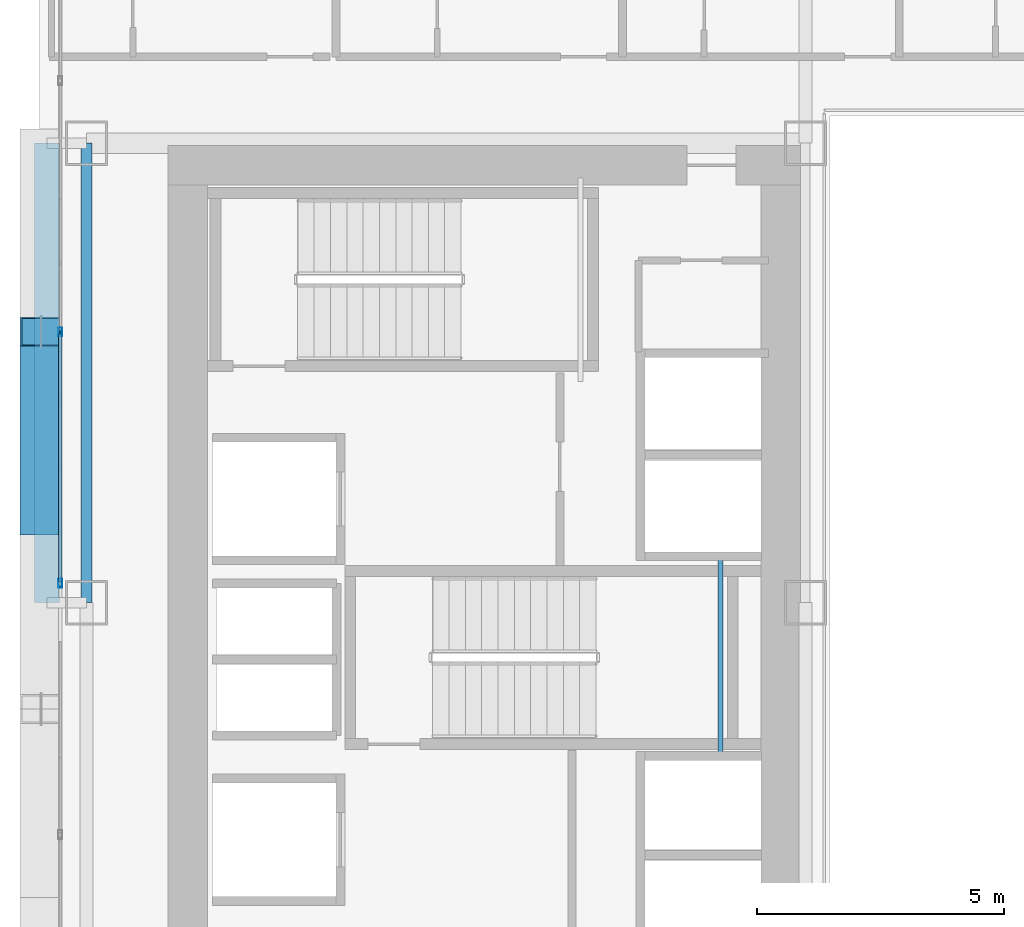
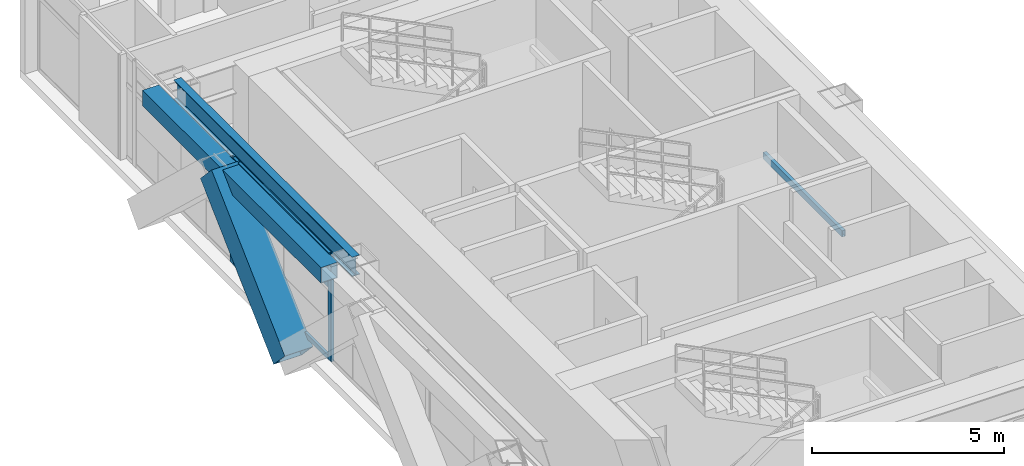
# One storey, part 8 of 35: 6 members, 3 beams, 1 element without a shape of its own.
"""IFC4 building model written with IfcOpenShell, lengths in metres."""

from ifc_helpers import new_model, si_unit, direction, frame, origin, origin_2d, place, context, subcontext, project, spatial, hollow_rectangle, i_section, extrude, source, transform, mapped, material, layer, layer_set, material_profile, profile_set, type_object, element, aggregate, save


model = new_model("IFC4")

# Units and contexts
model_context = context("Model", 3, precision=1e-05, world=origin(), true_north=direction((0.0, 1.0)))
body_context = subcontext(model_context, "Body", "Model", "MODEL_VIEW")
ifc_project = project(units=[si_unit("LENGTHUNIT", "METRE"), si_unit("AREAUNIT", "SQUARE_METRE"), si_unit("VOLUMEUNIT", "CUBIC_METRE"), si_unit("PLANEANGLEUNIT", "RADIAN"), si_unit("MASSUNIT", "GRAM", prefix="KILO")], contexts=[model_context])

# Site, building, storey
site_placement = place(None, origin())
site = spatial("IfcSite", under=ifc_project, at=site_placement, CompositionType="ELEMENT")
building_placement = place(site_placement, origin())
building = spatial("IfcBuilding", under=site, at=building_placement, Name="Ocotamira Hotel", CompositionType="ELEMENT")
storey_placement = place(building_placement, frame((0.0, 0.0, 49.199951171875)))
storey = spatial("IfcBuildingStorey", under=building, at=storey_placement, Name="L11", CompositionType="ELEMENT", Elevation=49.199951171875)

# Beams
ifc_material_1 = material(Name="Steel ASTM A500 Grade C", Category="steel")
ifc_material_profile_1 = material_profile(ifc_material_1, hollow_rectangle(XDim=0.10009765625, YDim=0.199951171875, WallThickness=0.008056640625, at=origin_2d()), Name="HSS200X100X8")
ifc_profile_set_1 = profile_set([ifc_material_profile_1], Name="Steel ASTM A500 Grade C")
beam_type_1 = type_object("IfcBeamType", Name="BM-STLDG-HSS200", PredefinedType="BEAM", material=ifc_profile_set_1)
shared_shape_1 = source(origin(), body_context, "Body", "SweptSolid", [
    extrude(hollow_rectangle(XDim=0.10009765625, YDim=0.199951171875, WallThickness=0.008056640625, at=origin_2d()), origin(), (0.0, 0.0, 1.0), 4.1201171875),
])
beam_1_placement = place(storey_placement, frame((21.780029296875, 24.97998046875, 1.5), z_axis=(0.0, 1.0, 0.0), x_axis=(-1.0, 0.0, 0.0)))
element("IfcBeam", 1, at=beam_1_placement, inside=storey, type_object=beam_type_1, Name="L11 Stair ST-3 Landing Bearer 1", PredefinedType="BEAM", context=body_context, shape_type="MappedRepresentation", body=[
    mapped(shared_shape_1, transform((0.0, 0.0, 0.0), scale=1.0)),
])
ifc_material_2 = material(Name="Steel ASTM A992 Grade 50", Category="steel")
ifc_material_profile_2 = material_profile(ifc_material_2, i_section(OverallWidth=0.22998046875, OverallDepth=0.616943359375, WebThickness=0.01318359375, FlangeThickness=0.022216796875, FilletRadius=0.012939453125, at=origin_2d()), Name="W24X94")
ifc_profile_set_2 = profile_set([ifc_material_profile_2], Name="Steel ASTM A992 Grade 50")
beam_type_2 = type_object("IfcBeamType", Name="BM-PRIM-W24X94", PredefinedType="BEAM", material=ifc_profile_set_2)
shared_shape_2 = source(origin(), body_context, "Body", "SweptSolid", [
    extrude(i_section(OverallWidth=0.22998046875, OverallDepth=0.616943359375, WebThickness=0.01318359375, FlangeThickness=0.022216796875, FilletRadius=0.012939453125, at=origin_2d()), origin(), (0.0, 0.0, 1.0), 9.300048828125),
])
beam_2_placement = place(storey_placement, frame((8.949951171875, 28.14990234375, 3.04150390625), z_axis=(0.0, 1.0, 0.0), x_axis=(-1.0, 0.0, 0.0)))
element("IfcBeam", 2, at=beam_2_placement, inside=storey, type_object=beam_type_2, Name="L11 Beam X8.95 Y28.15-37.45", PredefinedType="BEAM", context=body_context, shape_type="MappedRepresentation", body=[
    mapped(shared_shape_2, transform((0.0, 0.0, 0.0), scale=1.0)),
])
ifc_material_profile_3 = material_profile(ifc_material_1, hollow_rectangle(XDim=0.5, YDim=0.5, WallThickness=0.02001953125, at=origin_2d()), Name="HSS500X500X20")
ifc_profile_set_3 = profile_set([ifc_material_profile_3], Name="Steel ASTM A500 Grade C")
beam_type_3 = type_object("IfcBeamType", Name="BM-SPAN-HSS500", PredefinedType="USERDEFINED", material=ifc_profile_set_3)
shared_shape_3 = source(origin(), body_context, "Body", "SweptSolid", [
    extrude(hollow_rectangle(XDim=0.5, YDim=0.5, WallThickness=0.02001953125, at=origin_2d()), origin(), (0.0, 0.0, 1.0), 9.300048828125),
])
beam_3_placement = place(storey_placement, frame((8.14990234375, 28.14990234375, 3.10009765625), z_axis=(0.0, 1.0, 0.0), x_axis=(-1.0, 0.0, 0.0)))
element("IfcBeam", 3, at=beam_3_placement, inside=storey, type_object=beam_type_3, Name="L11 Edge Spandrel W Y28.15-37.45", ObjectType="SPANDREL", PredefinedType="USERDEFINED", context=body_context, shape_type="MappedRepresentation", body=[
    mapped(shared_shape_3, transform((0.0, 0.0, 0.0), scale=1.0)),
])

# Member
ifc_material_3 = material(Name="Pale-metal coated steel ASTM A913 Grade 65", Category="steel")
ifc_material_profile_4 = material_profile(ifc_material_3, hollow_rectangle(XDim=0.85009765625, YDim=0.85009765625, WallThickness=0.035888671875, at=origin_2d()), Name="BOX850X850X36")
ifc_profile_set_4 = profile_set([ifc_material_profile_4], Name="Pale-metal coated steel ASTM A913 Grade 65")
member_type_1 = type_object("IfcMemberType", Name="MEM-EXO-BOX850", PredefinedType="BRACE", material=ifc_profile_set_4)
shared_shape_4 = source(origin(), body_context, "Body", "SweptSolid", [
    extrude(hollow_rectangle(XDim=0.85009765625, YDim=0.85009765625, WallThickness=0.035888671875, at=origin_2d()), origin(), (0.0, 0.0, 1.0), 5.24658203125),
])
member_1_placement = place(storey_placement, frame((8.030029296875, 29.816650390625, -0.5), z_axis=(0.0, 0.727442733726, 0.686168397078), x_axis=(-1.0, 0.0, 0.0)))
element("IfcMember", 4, at=member_1_placement, inside=storey, type_object=member_type_1, Name="L11 Exoskeleton Diagrid W2.1", PredefinedType="BRACE", context=body_context, shape_type="MappedRepresentation", body=[
    mapped(shared_shape_4, transform((0.0, 0.0, 0.0), scale=1.0)),
])

# Curtain wall, members
ifc_material_4 = material(Name="Anodised pale-metal aluminium and solar glass", Category="aluminium")
ifc_layer = layer(ifc_material_4, 0.179931640625)
ifc_layer_set = layer_set([ifc_layer], Name="Anodised pale-metal aluminium and solar glass")
curtain_wall_type = type_object("IfcCurtainWallType", Name="CW-SYS2-Z1", PredefinedType="NOTDEFINED", material=ifc_layer_set)
curtain_wall_placement = place(storey_placement, origin())
curtain_wall = element("IfcCurtainWall", 5, at=curtain_wall_placement, inside=storey, type_object=curtain_wall_type, Name="L11 Curtain Wall CW-2 CW-L11-W", PredefinedType="NOTDEFINED")
ifc_material_5 = material(Name="Anodised pale-metal aluminium 6063-T6", Category="aluminium")
ifc_material_profile_5 = material_profile(ifc_material_5, hollow_rectangle(XDim=0.074951171875, YDim=0.14990234375, WallThickness=0.006103515625, at=origin_2d()), Name="HSS150X75X6")
ifc_profile_set_5 = profile_set([ifc_material_profile_5], Name="Anodised pale-metal aluminium 6063-T6")
member_type_2 = type_object("IfcMemberType", Name="CWT-150X75", PredefinedType="USERDEFINED", material=ifc_profile_set_5)
shared_shape_5 = source(origin(), body_context, "Body", "SweptSolid", [
    extrude(hollow_rectangle(XDim=0.074951171875, YDim=0.14990234375, WallThickness=0.006103515625, at=origin_2d()), origin(), (0.0, 0.0, 1.0), 5.005859375),
])
member_2_placement = place(storey_placement, frame((8.419921875, 28.582763671875, 0.03759765625), z_axis=(0.0, 1.0, 0.0), x_axis=(-1.0, 0.0, 0.0)))
member_2 = element("IfcMember", 6, at=member_2_placement, type_object=member_type_2, Name="CW-2 transom 5.1", ObjectType="TRANSOM", PredefinedType="USERDEFINED", context=body_context, shape_type="MappedRepresentation", body=[
    mapped(shared_shape_5, transform((0.0, 0.0, 0.0), scale=1.0)),
])
member_3_placement = place(storey_placement, frame((8.419921875, 28.582763671875, 2.35009765625), z_axis=(0.0, 1.0, 0.0), x_axis=(-1.0, 0.0, 0.0)))
member_3 = element("IfcMember", 7, at=member_3_placement, type_object=member_type_2, Name="CW-2 transom 5.2", ObjectType="TRANSOM", PredefinedType="USERDEFINED", context=body_context, shape_type="MappedRepresentation", body=[
    mapped(shared_shape_5, transform((0.0, 0.0, 0.0), scale=1.0)),
])
member_4_placement = place(storey_placement, frame((8.419921875, 28.582763671875, 3.3125), z_axis=(0.0, 1.0, 0.0), x_axis=(-1.0, 0.0, 0.0)))
member_4 = element("IfcMember", 8, at=member_4_placement, type_object=member_type_2, Name="CW-2 transom 5.3", ObjectType="TRANSOM", PredefinedType="USERDEFINED", context=body_context, shape_type="MappedRepresentation", body=[
    mapped(shared_shape_5, transform((0.0, 0.0, 0.0), scale=1.0)),
])
ifc_material_profile_6 = material_profile(ifc_material_5, hollow_rectangle(XDim=0.080078125, YDim=0.179931640625, WallThickness=0.006103515625, at=origin_2d()), Name="HSS180X80X6")
ifc_profile_set_6 = profile_set([ifc_material_profile_6], Name="Anodised pale-metal aluminium 6063-T6")
member_type_3 = type_object("IfcMemberType", Name="CWM-180X75", PredefinedType="MULLION", material=ifc_profile_set_6)
shared_shape_6 = source(origin(), body_context, "Body", "SweptSolid", [
    extrude(hollow_rectangle(XDim=0.080078125, YDim=0.179931640625, WallThickness=0.006103515625, at=origin_2d()), origin(), (0.0, 0.0, 1.0), 3.35009765625),
])
member_5_placement = place(storey_placement, frame((8.419921875, 28.54296875, 0.0), z_axis=(0.0, 0.0, 1.0), x_axis=(-1.0, 0.0, 0.0)))
member_5 = element("IfcMember", 9, at=member_5_placement, type_object=member_type_3, Name="CW-2 mullion 5", PredefinedType="MULLION", context=body_context, shape_type="MappedRepresentation", body=[
    mapped(shared_shape_6, transform((0.0, 0.0, 0.0), scale=1.0)),
])
member_6_placement = place(storey_placement, frame((8.419921875, 33.628662109375, 0.0), z_axis=(0.0, 0.0, 1.0), x_axis=(-1.0, 0.0, 0.0)))
member_6 = element("IfcMember", 10, at=member_6_placement, type_object=member_type_3, Name="CW-2 mullion 6", PredefinedType="MULLION", context=body_context, shape_type="MappedRepresentation", body=[
    mapped(shared_shape_6, transform((0.0, 0.0, 0.0), scale=1.0)),
])
aggregate(curtain_wall, [member_5, member_6, member_2, member_3, member_4])

save(model, "model.ifc")
